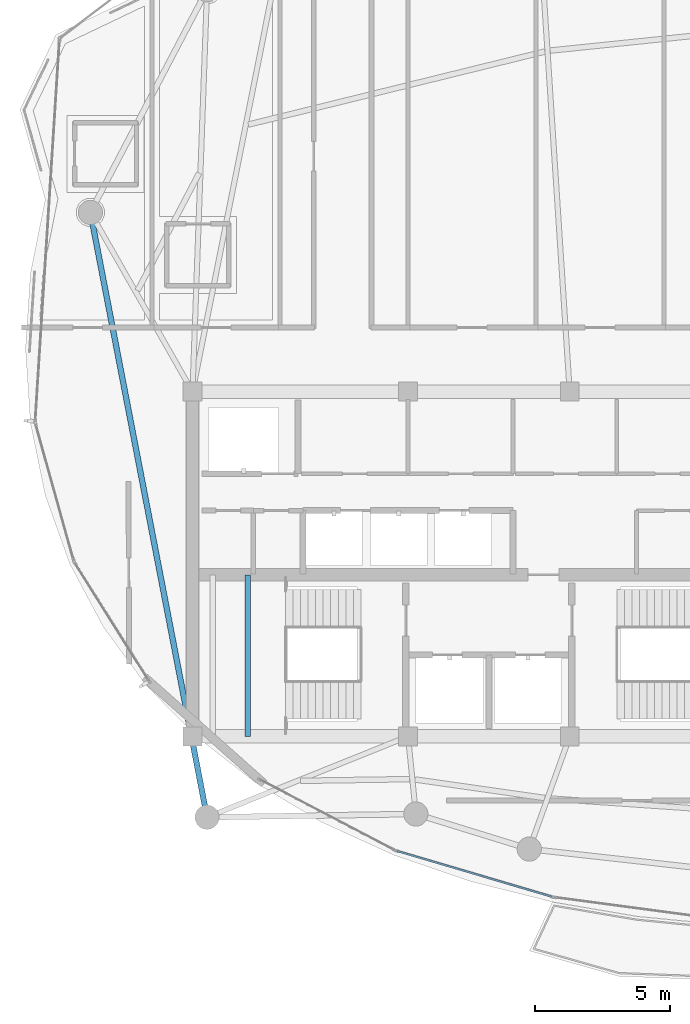
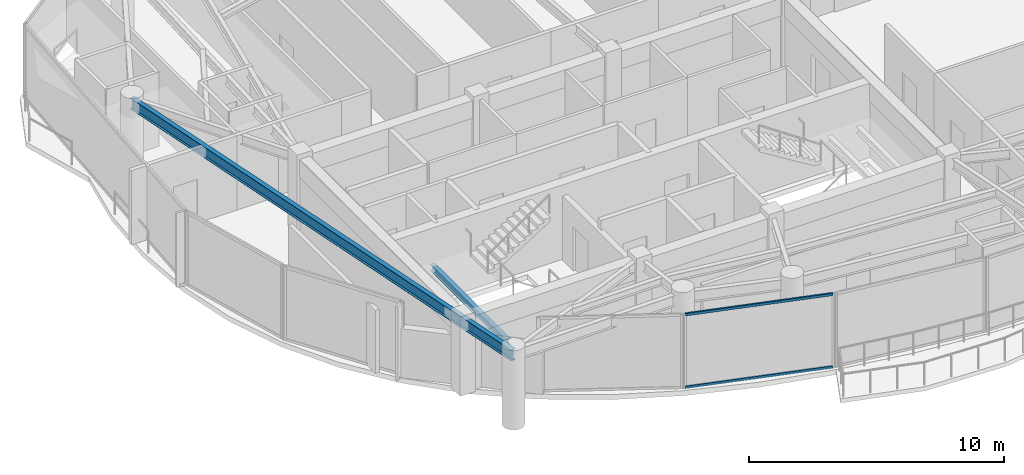
# One storey, part 4 of 29: 2 beams, 2 members, 1 element without a shape of its own.
"""IFC4 building model written with IfcOpenShell, lengths in metres."""

from ifc_helpers import new_model, si_unit, direction, frame, origin, origin_2d, place, context, subcontext, project, spatial, hollow_rectangle, i_section, extrude, material, layer, layer_set, material_profile, profile_set, type_object, element, aggregate, save


model = new_model("IFC4")

# Units and contexts
model_context = context("Model", 3, precision=1e-05, world=origin(), true_north=direction((0.0, 1.0)))
body_context = subcontext(model_context, "Body", "Model", "MODEL_VIEW")
ifc_project = project(units=[si_unit("LENGTHUNIT", "METRE"), si_unit("AREAUNIT", "SQUARE_METRE"), si_unit("VOLUMEUNIT", "CUBIC_METRE"), si_unit("PLANEANGLEUNIT", "RADIAN"), si_unit("MASSUNIT", "GRAM", prefix="KILO")], contexts=[model_context])

# Site, building, storey
site_placement = place(None, origin())
site = spatial("IfcSite", under=ifc_project, at=site_placement, CompositionType="ELEMENT")
building_placement = place(site_placement, origin())
building = spatial("IfcBuilding", under=site, at=building_placement, Name="Kazevale Care Tower and Concert Hall", CompositionType="ELEMENT")
storey_placement = place(building_placement, frame((0.0, 0.0, 262.39990234375)))
storey = spatial("IfcBuildingStorey", under=building, at=storey_placement, Name="L69", CompositionType="ELEMENT", Elevation=262.39990234375)

# Curtain wall, members
ifc_material_1 = material(Name="Aluminium 6063-T6 and Low-E Glass", Category="aluminium")
ifc_layer = layer(ifc_material_1, 0.179931640625)
ifc_layer_set = layer_set([ifc_layer], Name="Aluminium 6063-T6 and Low-E Glass")
curtain_wall_type = type_object("IfcCurtainWallType", Name="Sheltered Concave Balcony Curtain Wall CW-5", PredefinedType="NOTDEFINED", material=ifc_layer_set)
curtain_wall_placement = place(storey_placement, origin())
curtain_wall = element("IfcCurtainWall", 1, at=curtain_wall_placement, inside=storey, type_object=curtain_wall_type, Name="cw:L69:f08", PredefinedType="NOTDEFINED")
ifc_material_2 = material(Name="Aluminium 6063-T6", Category="aluminium")
ifc_material_profile_1 = material_profile(ifc_material_2, hollow_rectangle(XDim=0.074951171875, YDim=0.1201171875, WallThickness=0.00390625, at=origin_2d()), Name="ALU75x120x4")
ifc_profile_set_1 = profile_set([ifc_material_profile_1], Name="Aluminium 6063-T6")
member_type = type_object("IfcMemberType", Name="CW-5 Transom ALU75x120x4", PredefinedType="USERDEFINED", material=ifc_profile_set_1)
member_1_placement = place(storey_placement, frame((35.321044921875, 17.6552734375, 0.03759765625), z_axis=(-0.959060435573, 0.283201484669, 0.0), x_axis=(-0.283201484669, -0.959060435573, 0.0)))
member_1 = element("IfcMember", 2, at=member_1_placement, type_object=member_type, Name="CW-5 transom 1.1", ObjectType="TRANSOM", PredefinedType="USERDEFINED", context=body_context, shape_type="SweptSolid", body=[
    extrude(hollow_rectangle(XDim=0.074951171875, YDim=0.1201171875, WallThickness=0.00390625, at=origin_2d()), origin(), (0.0, 0.0, 1.0), 5.962158203125),
])
member_2_placement = place(storey_placement, frame((35.321044921875, 17.6552734375, 3.522705078125), z_axis=(-0.959060435573, 0.283201484669, 0.0), x_axis=(-0.283201484669, -0.959060435573, 0.0)))
member_2 = element("IfcMember", 3, at=member_2_placement, type_object=member_type, Name="CW-5 transom 1.2", ObjectType="TRANSOM", PredefinedType="USERDEFINED", context=body_context, shape_type="SweptSolid", body=[
    extrude(hollow_rectangle(XDim=0.074951171875, YDim=0.1201171875, WallThickness=0.00390625, at=origin_2d()), origin(), (0.0, 0.0, 1.0), 5.962158203125),
])
aggregate(curtain_wall, [member_1, member_2])

# Beams
ifc_material_3 = material(Name="Steel ASTM A572 Gr 50", Category="steel")
ifc_material_profile_2 = material_profile(ifc_material_3, i_section(OverallWidth=0.202880859375, OverallDepth=0.302978515625, WebThickness=0.007568359375, FlangeThickness=0.01318359375, at=origin_2d()), Name="W310x60")
ifc_profile_set_2 = profile_set([ifc_material_profile_2], Name="Steel ASTM A572 Gr 50")
beam_type_1 = type_object("IfcBeamType", Name="Stair & Balcony Trimmer W310x60", PredefinedType="BEAM", material=ifc_profile_set_2)
beam_1_placement = place(storey_placement, frame((24.050048828125, 23.60009765625, 1.548583984375), z_axis=(0.0, 1.0, 0.0), x_axis=(-1.0, 0.0, 0.0)))
element("IfcBeam", 4, at=beam_1_placement, inside=storey, type_object=beam_type_1, Name="beam:L69:sttrim:ST1b", PredefinedType="BEAM", context=body_context, shape_type="SweptSolid", body=[
    extrude(i_section(OverallWidth=0.202880859375, OverallDepth=0.302978515625, WebThickness=0.007568359375, FlangeThickness=0.01318359375, at=origin_2d()), origin(), (0.0, 0.0, 1.0), 6.0),
])
ifc_material_profile_3 = material_profile(ifc_material_3, i_section(OverallWidth=0.208984375, OverallDepth=0.532958984375, WebThickness=0.01025390625, FlangeThickness=0.015625, at=origin_2d()), Name="W530x92")
ifc_profile_set_3 = profile_set([ifc_material_profile_3], Name="Steel ASTM A572 Gr 50")
beam_type_2 = type_object("IfcBeamType", Name="Upper Ring Beam W530x92", PredefinedType="BEAM", material=ifc_profile_set_3)
beam_2_placement = place(storey_placement, frame((18.2099609375, 43.050048828125, 3.293701171875), z_axis=(0.189386387255, -0.981902640959, 0.0), x_axis=(0.981902640959, 0.189386387255, 0.0)))
element("IfcBeam", 5, at=beam_2_placement, inside=storey, type_object=beam_type_2, Name="beam:L69:ring:09", PredefinedType="BEAM", context=body_context, shape_type="SweptSolid", body=[
    extrude(i_section(OverallWidth=0.208984375, OverallDepth=0.532958984375, WebThickness=0.01025390625, FlangeThickness=0.015625, at=origin_2d()), origin(), (0.0, 0.0, 1.0), 22.86376953125),
])

save(model, "model.ifc")
